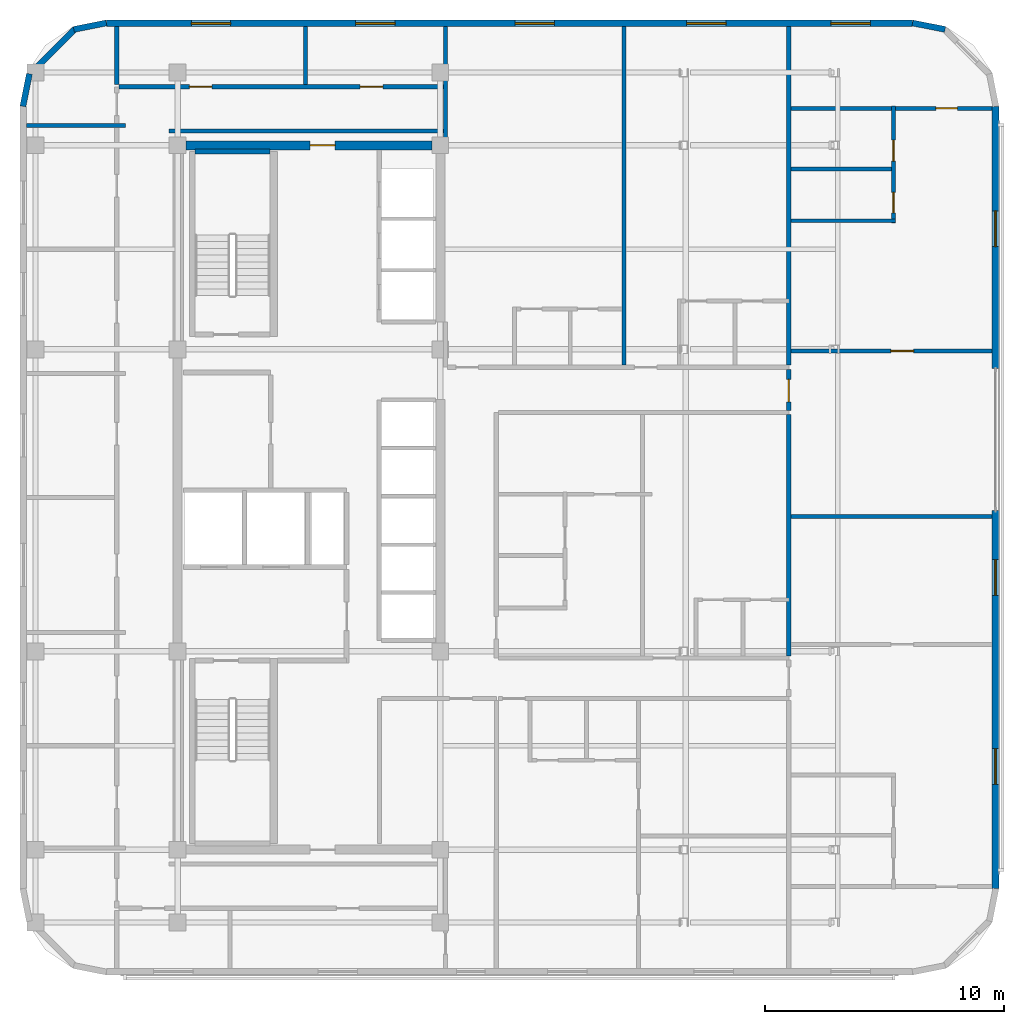
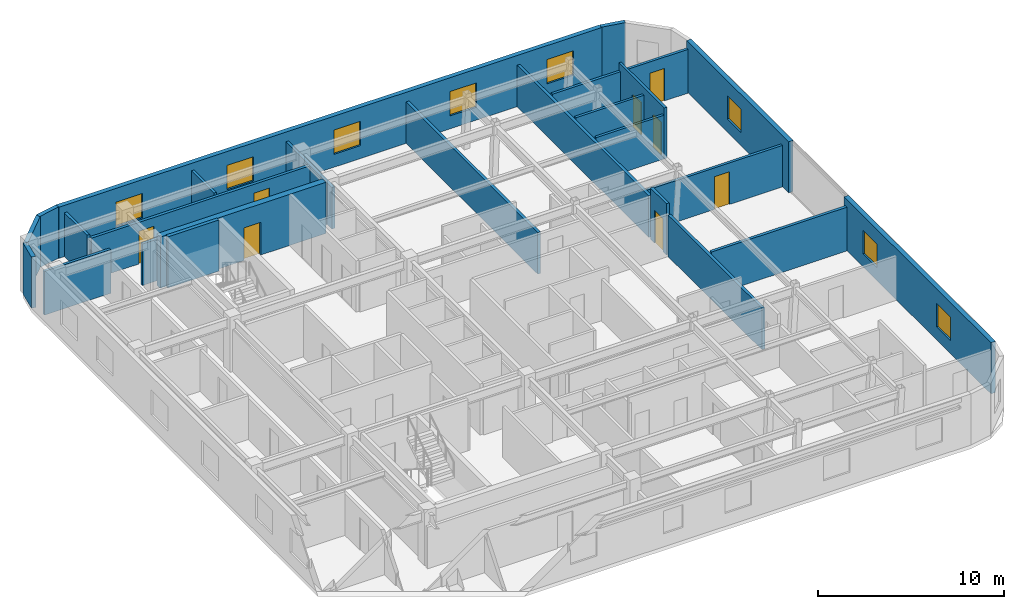
# One storey, part 7 of 11: 25 walls, 8 doors, 8 windows, 16 openings.
"""IFC4 building model written with IfcOpenShell, lengths in metres."""

from ifc_helpers import new_model, si_unit, direction, frame, frame_2d, origin, place, context, subcontext, project, spatial, rectangle, extrude, material, layer, layer_set, type_object, element, fill, save


model = new_model("IFC4")

# Units and contexts
model_context = context("Model", 3, precision=1e-05, world=origin(), true_north=direction((0.0, 1.0)))
body_context = subcontext(model_context, "Body", "Model", "MODEL_VIEW")
ifc_project = project(units=[si_unit("LENGTHUNIT", "METRE"), si_unit("AREAUNIT", "SQUARE_METRE"), si_unit("VOLUMEUNIT", "CUBIC_METRE"), si_unit("PLANEANGLEUNIT", "RADIAN"), si_unit("MASSUNIT", "GRAM", prefix="KILO")], contexts=[model_context])

# Site, building, storey
site_placement = place(None, origin())
site = spatial("IfcSite", under=ifc_project, at=site_placement, CompositionType="ELEMENT")
building_placement = place(site_placement, origin())
building = spatial("IfcBuilding", under=site, at=building_placement, Name="Ochreholt Gables", CompositionType="ELEMENT")
storey_placement = place(building_placement, frame((0.0, 0.0, 155.39990234375)))
storey = spatial("IfcBuildingStorey", under=building, at=storey_placement, Name="L40", CompositionType="ELEMENT", Elevation=155.39990234375)

# Wall, opening, door
ifc_material_1 = material(Name="Concrete 50 MPa", Category="concrete")
ifc_layer_1 = layer(ifc_material_1, 0.3798828125, Name="Concrete 50 MPa")
ifc_layer_set_1 = layer_set([ifc_layer_1], Name="Concrete 50 MPa")
wall_type_1 = type_object("IfcWallType", Name="WALL-CSW-380", PredefinedType="SHEAR", material=ifc_layer_set_1)
wall_1_placement = place(storey_placement, frame((24.550048828125, 38.75, 0.0), z_axis=(0.0, 0.0, 1.0), x_axis=(1.0, 0.0, 0.0)))
wall_1 = element("IfcWall", 1, at=wall_1_placement, inside=storey, type_object=wall_type_1, Name="L40 Core North Shear Wall", PredefinedType="SHEAR", context=body_context, shape_type="SweptSolid", body=[
    extrude(rectangle(XDim=10.300048828125, YDim=0.3798828125, at=frame_2d((5.14990234375, 0.0))), origin(), (0.0, 0.0, 1.0), 3.360107421875),
])
opening_1_placement = place(wall_1_placement, frame((5.199951171875, 0.0, 0.0)))
opening_1 = element("IfcOpeningElement", 2, at=opening_1_placement, cuts=wall_1, Name="Opening D-FLB", PredefinedType="OPENING", context=body_context, shape_type="SweptSolid", body=[
    extrude(rectangle(XDim=1.050048828125, YDim=2.14990234375, at=frame_2d((0.52490234375, 1.074951171875))), frame((0.0, 0.199951171875, 0.0), z_axis=(0.0, -1.0, 0.0), x_axis=(1.0, 0.0, 0.0)), (0.0, 0.0, 1.0), 0.39990234375),
])
ifc_material_2 = material(Name="Hollow Metal Steel", Category="steel")
door_type_1 = type_object("IfcDoorType", Name="DR-INT-FLB1050", OperationType="NOTDEFINED", PredefinedType="DOOR", material=ifc_material_2)
door_1_placement = place(opening_1_placement, frame((1.050048828125, 0.0, 0.0), z_axis=(0.0, 0.0, 1.0), x_axis=(-1.0, 0.0, 0.0)))
door_1 = element("IfcDoor", 3, at=door_1_placement, inside=storey, type_object=door_type_1, Name="L40 Door D-C2CRN-L40", OperationType="SINGLE_SWING_RIGHT", OverallHeight=2.14990234375, OverallWidth=1.050048828125, PredefinedType="DOOR", context=body_context, shape_type="SweptSolid", body=[
    extrude(rectangle(XDim=1.050048828125, YDim=2.14990234375, at=frame_2d((0.52490234375, 1.074951171875))), frame((0.0, 0.02490234375, 0.0), z_axis=(0.0, -1.0, 0.0), x_axis=(1.0, 0.0, 0.0)), (0.0, 0.0, 1.0), 0.050048828125),
])
fill(opening_1, door_1)

# Wall, openings, windows
ifc_material_3 = material(Name="Precast concrete 40 MPa", Category="concrete")
ifc_layer_2 = layer(ifc_material_3, 0.280029296875, Name="Precast concrete 40 MPa")
ifc_layer_set_2 = layer_set([ifc_layer_2], Name="Precast concrete 40 MPa")
wall_type_2 = type_object("IfcWallType", Name="WALL-EXT-280", PredefinedType="SOLIDWALL", material=ifc_layer_set_2)
wall_2_placement = place(storey_placement, frame((58.4599609375, 7.6201171875, 0.0), z_axis=(0.0, 0.0, 1.0), x_axis=(0.0, 1.0, 0.0)))
wall_2 = element("IfcWall", 4, at=wall_2_placement, inside=storey, type_object=wall_type_2, Name="L40 East Facade Wall 1", PredefinedType="SOLIDWALL", context=body_context, shape_type="SweptSolid", body=[
    extrude(rectangle(XDim=15.829833984375, YDim=0.280029296875, at=frame_2d((7.9150390625, 0.0))), origin(), (0.0, 0.0, 1.0), 3.360107421875),
])
opening_2_placement = place(wall_2_placement, frame((4.365234375, 0.0, 0.85009765625)))
opening_2 = element("IfcOpeningElement", 5, at=opening_2_placement, cuts=wall_2, Name="Opening WN-2", PredefinedType="OPENING", context=body_context, shape_type="SweptSolid", body=[
    extrude(rectangle(XDim=1.5, YDim=1.550048828125, at=frame_2d((0.75, 0.77490234375))), frame((0.0, 0.14990234375, 0.0), z_axis=(0.0, -1.0, 0.0), x_axis=(1.0, 0.0, 0.0)), (0.0, 0.0, 1.0), 0.300048828125),
])
opening_3_placement = place(wall_2_placement, frame((12.2802734375, 0.0, 0.85009765625)))
opening_3 = element("IfcOpeningElement", 6, at=opening_3_placement, cuts=wall_2, Name="Opening WN-2", PredefinedType="OPENING", context=body_context, shape_type="SweptSolid", body=[
    extrude(rectangle(XDim=1.5, YDim=1.550048828125, at=frame_2d((0.75, 0.77490234375))), frame((0.0, 0.14990234375, 0.0), z_axis=(0.0, -1.0, 0.0), x_axis=(1.0, 0.0, 0.0)), (0.0, 0.0, 1.0), 0.300048828125),
])
ifc_material_4 = material(Name="Triple-Glazed Thermally Broken Aluminium Window", Category="aluminium")
window_type_1 = type_object("IfcWindowType", Name="WIN-RES-1500", PartitioningType="SINGLE_PANEL", PredefinedType="WINDOW", material=ifc_material_4)
window_1_placement = place(opening_2_placement, origin())
window_1 = element("IfcWindow", 7, at=window_1_placement, inside=storey, type_object=window_type_1, Name="L40 Window W-EXT-E1-L40-1", OverallHeight=1.550048828125, OverallWidth=1.5, PartitioningType="SINGLE_PANEL", PredefinedType="WINDOW", context=body_context, shape_type="SweptSolid", body=[
    extrude(rectangle(XDim=1.5, YDim=1.550048828125, at=frame_2d((0.75, 0.77490234375))), frame((0.0, 0.030029296875, 0.0), z_axis=(0.0, -1.0, 0.0), x_axis=(1.0, 0.0, 0.0)), (0.0, 0.0, 1.0), 0.06005859375),
])
fill(opening_2, window_1)
window_2_placement = place(opening_3_placement, origin())
window_2 = element("IfcWindow", 8, at=window_2_placement, inside=storey, type_object=window_type_1, Name="L40 Window W-EXT-E1-L40-2", OverallHeight=1.550048828125, OverallWidth=1.5, PartitioningType="SINGLE_PANEL", PredefinedType="WINDOW", context=body_context, shape_type="SweptSolid", body=[
    extrude(rectangle(XDim=1.5, YDim=1.550048828125, at=frame_2d((0.75, 0.77490234375))), frame((0.0, 0.030029296875, 0.0), z_axis=(0.0, -1.0, 0.0), x_axis=(1.0, 0.0, 0.0)), (0.0, 0.0, 1.0), 0.06005859375),
])
fill(opening_3, window_2)

# Wall, opening, window
wall_3_placement = place(storey_placement, frame((58.4599609375, 29.39990234375, 0.0), z_axis=(0.0, 0.0, 1.0), x_axis=(0.0, 1.0, 0.0)))
wall_3 = element("IfcWall", 9, at=wall_3_placement, inside=storey, type_object=wall_type_2, Name="L40 East Facade Wall 2", PredefinedType="SOLIDWALL", context=body_context, shape_type="SweptSolid", body=[
    extrude(rectangle(XDim=10.97998046875, YDim=0.280029296875, at=frame_2d((5.489990234375, 0.0))), origin(), (0.0, 0.0, 1.0), 3.360107421875),
])
opening_4_placement = place(wall_3_placement, frame((5.107666015625, 0.0, 0.85009765625)))
opening_4 = element("IfcOpeningElement", 10, at=opening_4_placement, cuts=wall_3, Name="Opening WN-2", PredefinedType="OPENING", context=body_context, shape_type="SweptSolid", body=[
    extrude(rectangle(XDim=1.5, YDim=1.550048828125, at=frame_2d((0.75, 0.77490234375))), frame((0.0, 0.14990234375, 0.0), z_axis=(0.0, -1.0, 0.0), x_axis=(1.0, 0.0, 0.0)), (0.0, 0.0, 1.0), 0.300048828125),
])
window_3_placement = place(opening_4_placement, origin())
window_3 = element("IfcWindow", 11, at=window_3_placement, inside=storey, type_object=window_type_1, Name="L40 Window W-EXT-E2-L40-1", OverallHeight=1.550048828125, OverallWidth=1.5, PartitioningType="SINGLE_PANEL", PredefinedType="WINDOW", context=body_context, shape_type="SweptSolid", body=[
    extrude(rectangle(XDim=1.5, YDim=1.550048828125, at=frame_2d((0.75, 0.77490234375))), frame((0.0, 0.030029296875, 0.0), z_axis=(0.0, -1.0, 0.0), x_axis=(1.0, 0.0, 0.0)), (0.0, 0.0, 1.0), 0.06005859375),
])
fill(opening_4, window_3)

# Wall, openings, windows
wall_4_placement = place(storey_placement, frame((54.97998046875, 43.860107421875, 0.0), z_axis=(0.0, 0.0, 1.0), x_axis=(-1.0, 0.0, 0.0)))
wall_4 = element("IfcWall", 12, at=wall_4_placement, inside=storey, type_object=wall_type_2, Name="L40 North Exterior Wall", PredefinedType="SOLIDWALL", context=body_context, shape_type="SweptSolid", body=[
    extrude(rectangle(XDim=33.760009765625, YDim=0.280029296875, at=frame_2d((16.8798828125, 0.0))), origin(), (0.0, 0.0, 1.0), 3.360107421875),
])
opening_5_placement = place(wall_4_placement, frame((28.554931640625, 0.0, 0.85009765625)))
opening_5 = element("IfcOpeningElement", 13, at=opening_5_placement, cuts=wall_4, Name="Opening WN-7", PredefinedType="OPENING", context=body_context, shape_type="SweptSolid", body=[
    extrude(rectangle(XDim=1.64990234375, YDim=1.60009765625, at=frame_2d((0.824951171875, 0.800048828125))), frame((0.0, 0.14990234375, 0.0), z_axis=(0.0, -1.0, 0.0), x_axis=(1.0, 0.0, 0.0)), (0.0, 0.0, 1.0), 0.300048828125),
])
opening_6_placement = place(wall_4_placement, frame((21.669921875, 0.0, 0.85009765625)))
opening_6 = element("IfcOpeningElement", 14, at=opening_6_placement, cuts=wall_4, Name="Opening WN-7", PredefinedType="OPENING", context=body_context, shape_type="SweptSolid", body=[
    extrude(rectangle(XDim=1.64990234375, YDim=1.60009765625, at=frame_2d((0.824951171875, 0.800048828125))), frame((0.0, 0.14990234375, 0.0), z_axis=(0.0, -1.0, 0.0), x_axis=(1.0, 0.0, 0.0)), (0.0, 0.0, 1.0), 0.300048828125),
])
opening_7_placement = place(wall_4_placement, frame((14.99609375, 0.0, 0.85009765625)))
opening_7 = element("IfcOpeningElement", 15, at=opening_7_placement, cuts=wall_4, Name="Opening WN-7", PredefinedType="OPENING", context=body_context, shape_type="SweptSolid", body=[
    extrude(rectangle(XDim=1.64990234375, YDim=1.60009765625, at=frame_2d((0.824951171875, 0.800048828125))), frame((0.0, 0.14990234375, 0.0), z_axis=(0.0, -1.0, 0.0), x_axis=(1.0, 0.0, 0.0)), (0.0, 0.0, 1.0), 0.300048828125),
])
opening_8_placement = place(wall_4_placement, frame((7.80615234375, 0.0, 0.85009765625)))
opening_8 = element("IfcOpeningElement", 16, at=opening_8_placement, cuts=wall_4, Name="Opening WN-7", PredefinedType="OPENING", context=body_context, shape_type="SweptSolid", body=[
    extrude(rectangle(XDim=1.64990234375, YDim=1.60009765625, at=frame_2d((0.824951171875, 0.800048828125))), frame((0.0, 0.14990234375, 0.0), z_axis=(0.0, -1.0, 0.0), x_axis=(1.0, 0.0, 0.0)), (0.0, 0.0, 1.0), 0.300048828125),
])
opening_9_placement = place(wall_4_placement, frame((1.764892578125, 0.0, 0.85009765625)))
opening_9 = element("IfcOpeningElement", 17, at=opening_9_placement, cuts=wall_4, Name="Opening WN-7", PredefinedType="OPENING", context=body_context, shape_type="SweptSolid", body=[
    extrude(rectangle(XDim=1.64990234375, YDim=1.60009765625, at=frame_2d((0.824951171875, 0.800048828125))), frame((0.0, 0.14990234375, 0.0), z_axis=(0.0, -1.0, 0.0), x_axis=(1.0, 0.0, 0.0)), (0.0, 0.0, 1.0), 0.300048828125),
])
window_type_2 = type_object("IfcWindowType", Name="WIN-RES-1650", PartitioningType="SINGLE_PANEL", PredefinedType="WINDOW", material=ifc_material_4)
window_4_placement = place(opening_5_placement, origin())
window_4 = element("IfcWindow", 18, at=window_4_placement, inside=storey, type_object=window_type_2, Name="L40 Window W-EXT-N-L40-1", OverallHeight=1.60009765625, OverallWidth=1.64990234375, PartitioningType="SINGLE_PANEL", PredefinedType="WINDOW", context=body_context, shape_type="SweptSolid", body=[
    extrude(rectangle(XDim=1.64990234375, YDim=1.60009765625, at=frame_2d((0.824951171875, 0.800048828125))), frame((0.0, 0.030029296875, 0.0), z_axis=(0.0, -1.0, 0.0), x_axis=(1.0, 0.0, 0.0)), (0.0, 0.0, 1.0), 0.06005859375),
])
fill(opening_5, window_4)
window_5_placement = place(opening_6_placement, origin())
window_5 = element("IfcWindow", 19, at=window_5_placement, inside=storey, type_object=window_type_2, Name="L40 Window W-EXT-N-L40-2", OverallHeight=1.60009765625, OverallWidth=1.64990234375, PartitioningType="SINGLE_PANEL", PredefinedType="WINDOW", context=body_context, shape_type="SweptSolid", body=[
    extrude(rectangle(XDim=1.64990234375, YDim=1.60009765625, at=frame_2d((0.824951171875, 0.800048828125))), frame((0.0, 0.030029296875, 0.0), z_axis=(0.0, -1.0, 0.0), x_axis=(1.0, 0.0, 0.0)), (0.0, 0.0, 1.0), 0.06005859375),
])
fill(opening_6, window_5)
window_6_placement = place(opening_7_placement, origin())
window_6 = element("IfcWindow", 20, at=window_6_placement, inside=storey, type_object=window_type_2, Name="L40 Window W-EXT-N-L40-3", OverallHeight=1.60009765625, OverallWidth=1.64990234375, PartitioningType="SINGLE_PANEL", PredefinedType="WINDOW", context=body_context, shape_type="SweptSolid", body=[
    extrude(rectangle(XDim=1.64990234375, YDim=1.60009765625, at=frame_2d((0.824951171875, 0.800048828125))), frame((0.0, 0.030029296875, 0.0), z_axis=(0.0, -1.0, 0.0), x_axis=(1.0, 0.0, 0.0)), (0.0, 0.0, 1.0), 0.06005859375),
])
fill(opening_7, window_6)
window_7_placement = place(opening_8_placement, origin())
window_7 = element("IfcWindow", 21, at=window_7_placement, inside=storey, type_object=window_type_2, Name="L40 Window W-EXT-N-L40-4", OverallHeight=1.60009765625, OverallWidth=1.64990234375, PartitioningType="SINGLE_PANEL", PredefinedType="WINDOW", context=body_context, shape_type="SweptSolid", body=[
    extrude(rectangle(XDim=1.64990234375, YDim=1.60009765625, at=frame_2d((0.824951171875, 0.800048828125))), frame((0.0, 0.030029296875, 0.0), z_axis=(0.0, -1.0, 0.0), x_axis=(1.0, 0.0, 0.0)), (0.0, 0.0, 1.0), 0.06005859375),
])
fill(opening_8, window_7)
window_8_placement = place(opening_9_placement, origin())
window_8 = element("IfcWindow", 22, at=window_8_placement, inside=storey, type_object=window_type_2, Name="L40 Window W-EXT-N-L40-5", OverallHeight=1.60009765625, OverallWidth=1.64990234375, PartitioningType="SINGLE_PANEL", PredefinedType="WINDOW", context=body_context, shape_type="SweptSolid", body=[
    extrude(rectangle(XDim=1.64990234375, YDim=1.60009765625, at=frame_2d((0.824951171875, 0.800048828125))), frame((0.0, 0.030029296875, 0.0), z_axis=(0.0, -1.0, 0.0), x_axis=(1.0, 0.0, 0.0)), (0.0, 0.0, 1.0), 0.06005859375),
])
fill(opening_9, window_8)

# Walls
ifc_layer_3 = layer(ifc_material_3, 0.25, Name="Precast concrete 40 MPa")
ifc_layer_set_3 = layer_set([ifc_layer_3], Name="Precast concrete 40 MPa")
wall_type_3 = type_object("IfcWallType", Name="WALL-EXT-CNR", PredefinedType="SOLIDWALL", material=ifc_layer_set_3)
for number, where, z_axis, x_axis, name in (
    (23, (56.345458984375, 43.60498046875, 0.0), (0.0, 0.0, 1.0), (-0.980809899341, 0.19496651342, 0.0), "L40 Rounded Corner Wall NE-3"),
    (24, (21.216552734375, 43.875732421875, 0.0), (0.0, 0.0, 1.0), (-0.980809899341, -0.19496651342, 0.0), "L40 Rounded Corner Wall NW-1"),
):
    element("IfcWall", number, at=place(storey_placement, frame(where, z_axis=z_axis, x_axis=x_axis)), inside=storey, type_object=wall_type_3, Name=name, PredefinedType="SOLIDWALL", context=body_context, shape_type="SweptSolid", body=[
        extrude(rectangle(XDim=1.388671875, YDim=0.25, at=frame_2d((0.6943359375, 0.0))), origin(), (0.0, 0.0, 1.0), 3.360107421875),
    ])
wall_5_placement = place(storey_placement, frame((19.905029296875, 43.632080078125, 0.0), z_axis=(0.0, 0.0, 1.0), x_axis=(-0.707106781187, -0.707106781187, 0.0)))
element("IfcWall", 25, at=wall_5_placement, inside=storey, type_object=wall_type_3, Name="L40 Rounded Corner Wall NW-2", PredefinedType="SOLIDWALL", context=body_context, shape_type="SweptSolid", body=[
    extrude(rectangle(XDim=2.7392578125, YDim=0.25, at=frame_2d((1.36962890625, 0.0))), origin(), (0.0, 0.0, 1.0), 3.360107421875),
])
wall_6_placement = place(storey_placement, frame((17.9951171875, 41.74560546875, 0.0), z_axis=(0.0, 0.0, 1.0), x_axis=(-0.195135625965, -0.9807762678, 0.0)))
element("IfcWall", 26, at=wall_6_placement, inside=storey, type_object=wall_type_3, Name="L40 Rounded Corner Wall NW-3", PredefinedType="SOLIDWALL", context=body_context, shape_type="SweptSolid", body=[
    extrude(rectangle(XDim=1.388671875, YDim=0.25, at=frame_2d((0.6943359375, 0.0))), origin(), (0.0, 0.0, 1.0), 3.360107421875),
])

# Wall, openings, doors
ifc_material_5 = material(Name="Fire-Rated Gypsum Acoustic Partition", Category="gypsum")
ifc_layer_4 = layer(ifc_material_5, 0.179931640625, Name="Fire-Rated Gypsum Acoustic Partition")
ifc_layer_set_4 = layer_set([ifc_layer_4], Name="Fire-Rated Gypsum Acoustic Partition")
wall_type_4 = type_object("IfcWallType", Name="WALL-INT-CR180", PredefinedType="STANDARD", material=ifc_layer_set_4)
wall_7_placement = place(storey_placement, frame((21.739990234375, 41.199951171875, 0.0), z_axis=(0.0, 0.0, 1.0), x_axis=(1.0, 0.0, 0.0)))
wall_7 = element("IfcWall", 27, at=wall_7_placement, inside=storey, type_object=wall_type_4, Name="L40 Interior Wall WI-C2WCN-L40", PredefinedType="STANDARD", context=body_context, shape_type="SweptSolid", body=[
    extrude(rectangle(XDim=13.679931640625, YDim=0.179931640625, at=frame_2d((6.83984375, 0.0))), origin(), (0.0, 0.0, 1.0), 2.72998046875),
])
opening_10_placement = place(wall_7_placement, frame((2.949951171875, 0.0, 0.0)))
opening_10 = element("IfcOpeningElement", 28, at=opening_10_placement, cuts=wall_7, Name="Opening D-GN1", PredefinedType="OPENING", context=body_context, shape_type="SweptSolid", body=[
    extrude(rectangle(XDim=0.949951171875, YDim=2.14990234375, at=frame_2d((0.47509765625, 1.074951171875))), frame((0.0, 0.099853515625, 0.0), z_axis=(0.0, -1.0, 0.0), x_axis=(1.0, 0.0, 0.0)), (0.0, 0.0, 1.0), 0.199951171875),
])
opening_11_placement = place(wall_7_placement, frame((10.110107421875, 0.0, 0.0)))
opening_11 = element("IfcOpeningElement", 29, at=opening_11_placement, cuts=wall_7, Name="Opening D-GN1", PredefinedType="OPENING", context=body_context, shape_type="SweptSolid", body=[
    extrude(rectangle(XDim=0.949951171875, YDim=2.14990234375, at=frame_2d((0.47509765625, 1.074951171875))), frame((0.0, 0.099853515625, 0.0), z_axis=(0.0, -1.0, 0.0), x_axis=(1.0, 0.0, 0.0)), (0.0, 0.0, 1.0), 0.199951171875),
])
ifc_material_6 = material(Name="Engineered Oak Timber", Category="wood")
door_type_2 = type_object("IfcDoorType", Name="DR-INT-GEN950", OperationType="NOTDEFINED", PredefinedType="DOOR", material=ifc_material_6)
door_2_placement = place(opening_10_placement, origin())
door_2 = element("IfcDoor", 30, at=door_2_placement, inside=storey, type_object=door_type_2, Name="L40 Door D-C2NRS1-L40", OperationType="SINGLE_SWING_RIGHT", OverallHeight=2.14990234375, OverallWidth=0.949951171875, PredefinedType="DOOR", context=body_context, shape_type="SweptSolid", body=[
    extrude(rectangle(XDim=0.949951171875, YDim=2.14990234375, at=frame_2d((0.47509765625, 1.074951171875))), frame((0.0, 0.02490234375, 0.0), z_axis=(0.0, -1.0, 0.0), x_axis=(1.0, 0.0, 0.0)), (0.0, 0.0, 1.0), 0.050048828125),
])
fill(opening_10, door_2)
door_3_placement = place(opening_11_placement, origin())
door_3 = element("IfcDoor", 31, at=door_3_placement, inside=storey, type_object=door_type_2, Name="L40 Door D-C2NRS2-L40", OperationType="SINGLE_SWING_LEFT", OverallHeight=2.14990234375, OverallWidth=0.949951171875, PredefinedType="DOOR", context=body_context, shape_type="SweptSolid", body=[
    extrude(rectangle(XDim=0.949951171875, YDim=2.14990234375, at=frame_2d((0.47509765625, 1.074951171875))), frame((0.0, 0.02490234375, 0.0), z_axis=(0.0, -1.0, 0.0), x_axis=(1.0, 0.0, 0.0)), (0.0, 0.0, 1.0), 0.050048828125),
])
fill(opening_11, door_3)

# Wall
wall_8_placement = place(storey_placement, frame((23.85009765625, 39.35009765625, 0.0), z_axis=(0.0, 0.0, 1.0), x_axis=(1.0, 0.0, 0.0)))
element("IfcWall", 32, at=wall_8_placement, inside=storey, type_object=wall_type_4, Name="L40 Interior Wall WI-C2WCN2-L40", PredefinedType="STANDARD", context=body_context, shape_type="SweptSolid", body=[
    extrude(rectangle(XDim=11.56982421875, YDim=0.179931640625, at=frame_2d((5.784912109375, 0.0))), origin(), (0.0, 0.0, 1.0), 2.72998046875),
])

# Wall, opening, door
wall_9_placement = place(storey_placement, frame((49.800048828125, 27.64990234375, 0.0), z_axis=(0.0, 0.0, 1.0), x_axis=(0.0, 1.0, 0.0)))
wall_9 = element("IfcWall", 33, at=wall_9_placement, inside=storey, type_object=wall_type_4, Name="L40 Interior Wall WI-C2SNE-L40", PredefinedType="STANDARD", context=body_context, shape_type="SweptSolid", body=[
    extrude(rectangle(XDim=1.72021484375, YDim=0.179931640625, at=frame_2d((0.860107421875, 0.0))), origin(), (0.0, 0.0, 1.0), 3.360107421875),
])
opening_12_placement = place(wall_9_placement, frame((0.360107421875, 0.0, 0.0)))
opening_12 = element("IfcOpeningElement", 34, at=opening_12_placement, cuts=wall_9, Name="Opening D-UN2", PredefinedType="OPENING", context=body_context, shape_type="SweptSolid", body=[
    extrude(rectangle(XDim=0.93994140625, YDim=2.14990234375, at=frame_2d((0.469970703125, 1.074951171875))), frame((0.0, 0.099853515625, 0.0), z_axis=(0.0, -1.0, 0.0), x_axis=(1.0, 0.0, 0.0)), (0.0, 0.0, 1.0), 0.199951171875),
])
door_type_3 = type_object("IfcDoorType", Name="DR-INT-UNT940", OperationType="NOTDEFINED", PredefinedType="DOOR", material=ifc_material_6)
door_4_placement = place(opening_12_placement, origin())
door_4 = element("IfcDoor", 35, at=door_4_placement, inside=storey, type_object=door_type_3, Name="L40 Door D-U-L40FEN-ENT", OperationType="SINGLE_SWING_RIGHT", OverallHeight=2.14990234375, OverallWidth=0.93994140625, PredefinedType="DOOR", context=body_context, shape_type="SweptSolid", body=[
    extrude(rectangle(XDim=0.93994140625, YDim=2.14990234375, at=frame_2d((0.469970703125, 1.074951171875))), frame((0.0, 0.02490234375, 0.0), z_axis=(0.0, -1.0, 0.0), x_axis=(1.0, 0.0, 0.0)), (0.0, 0.0, 1.0), 0.050048828125),
])
fill(opening_12, door_4)

# Walls
ifc_material_7 = material(Name="Double-Stud Acoustic Demising Wall", Category="gypsum")
ifc_layer_5 = layer(ifc_material_7, 0.179931640625, Name="Double-Stud Acoustic Demising Wall")
ifc_layer_set_5 = layer_set([ifc_layer_5], Name="Double-Stud Acoustic Demising Wall")
wall_type_5 = type_object("IfcWallType", Name="WALL-INT-DM180", PredefinedType="PARTITIONING", material=ifc_layer_set_5)
wall_10_placement = place(storey_placement, frame((21.64990234375, 41.2900390625, 0.0), z_axis=(0.0, 0.0, 1.0), x_axis=(0.0, 1.0, 0.0)))
element("IfcWall", 36, at=wall_10_placement, inside=storey, type_object=wall_type_5, Name="L40 Interior Wall WI-C2WWN-L40", PredefinedType="PARTITIONING", context=body_context, shape_type="SweptSolid", body=[
    extrude(rectangle(XDim=2.429931640625, YDim=0.179931640625, at=frame_2d((1.21484375, 0.0))), origin(), (0.0, 0.0, 1.0), 2.879150390625),
])
wall_11_placement = place(storey_placement, frame((35.419921875, 38.75, 0.0), z_axis=(0.0, 0.0, 1.0), x_axis=(0.0, 1.0, 0.0)))
element("IfcWall", 37, at=wall_11_placement, inside=storey, type_object=wall_type_5, Name="L40 Interior Wall WI-C2NEN-L40", PredefinedType="PARTITIONING", context=body_context, shape_type="SweptSolid", body=[
    extrude(rectangle(XDim=4.969970703125, YDim=0.179931640625, at=frame_2d((2.48486328125, 0.0))), origin(), (0.0, 0.0, 1.0), 2.72998046875),
])
wall_12_placement = place(storey_placement, frame((42.897705078125, 29.550048828125, 0.0), z_axis=(0.0, 0.0, 1.0), x_axis=(0.0, 1.0, 0.0)))
element("IfcWall", 38, at=wall_12_placement, inside=storey, type_object=wall_type_5, Name="L40 Interior Wall WI-C2UDN-L40", PredefinedType="PARTITIONING", context=body_context, shape_type="SweptSolid", body=[
    extrude(rectangle(XDim=14.169921875, YDim=0.179931640625, at=frame_2d((7.0849609375, 0.0))), origin(), (0.0, 0.0, 1.0), 2.72998046875),
])
wall_13_placement = place(storey_placement, frame((49.800048828125, 17.3701171875, 0.0), z_axis=(0.0, 0.0, 1.0), x_axis=(0.0, 1.0, 0.0)))
element("IfcWall", 39, at=wall_13_placement, inside=storey, type_object=wall_type_5, Name="L40 Interior Wall WI-C2FEW2-L40", PredefinedType="PARTITIONING", context=body_context, shape_type="SweptSolid", body=[
    extrude(rectangle(XDim=10.099853515625, YDim=0.179931640625, at=frame_2d((5.0498046875, 0.0))), origin(), (0.0, 0.0, 1.0), 2.72998046875),
])
wall_14_placement = place(storey_placement, frame((49.800048828125, 29.550048828125, 0.0), z_axis=(0.0, 0.0, 1.0), x_axis=(0.0, 1.0, 0.0)))
element("IfcWall", 40, at=wall_14_placement, inside=storey, type_object=wall_type_5, Name="L40 Interior Wall WI-C2FEW3-L40", PredefinedType="PARTITIONING", context=body_context, shape_type="SweptSolid", body=[
    extrude(rectangle(XDim=14.169921875, YDim=0.179931640625, at=frame_2d((7.0849609375, 0.0))), origin(), (0.0, 0.0, 1.0), 2.72998046875),
])
wall_15_placement = place(storey_placement, frame((49.889892578125, 23.199951171875, 0.0), z_axis=(0.0, 0.0, 1.0), x_axis=(1.0, 0.0, 0.0)))
element("IfcWall", 41, at=wall_15_placement, inside=storey, type_object=wall_type_5, Name="L40 Interior Wall WI-C2FED-L40", PredefinedType="PARTITIONING", context=body_context, shape_type="SweptSolid", body=[
    extrude(rectangle(XDim=8.43017578125, YDim=0.179931640625, at=frame_2d((4.215087890625, 0.0))), origin(), (0.0, 0.0, 1.0), 2.879150390625),
])
ifc_material_8 = material(Name="Moisture-Resistant Plumbing Chase Wall", Category="gypsum")
ifc_layer_6 = layer(ifc_material_8, 0.159912109375, Name="Moisture-Resistant Plumbing Chase Wall")
ifc_layer_set_6 = layer_set([ifc_layer_6], Name="Moisture-Resistant Plumbing Chase Wall")
wall_type_6 = type_object("IfcWallType", Name="WALL-INT-PL160", PredefinedType="PLUMBINGWALL", material=ifc_layer_set_6)
wall_16_placement = place(storey_placement, frame((49.889892578125, 35.593017578125, 0.0), z_axis=(0.0, 0.0, 1.0), x_axis=(1.0, 0.0, 0.0)))
element("IfcWall", 42, at=wall_16_placement, inside=storey, type_object=wall_type_6, Name="L40 Interior Wall WU-L40FEN-FYS", PredefinedType="PLUMBINGWALL", context=body_context, shape_type="SweptSolid", body=[
    extrude(rectangle(XDim=4.380126953125, YDim=0.159912109375, at=frame_2d((2.18994140625, 0.0))), origin(), (0.0, 0.0, 1.0), 2.879150390625),
])

# Wall, openings, doors
wall_17_placement = place(storey_placement, frame((54.18994140625, 35.5029296875, 0.0), z_axis=(0.0, 0.0, 1.0), x_axis=(0.0, 1.0, 0.0)))
wall_17 = element("IfcWall", 43, at=wall_17_placement, inside=storey, type_object=wall_type_6, Name="L40 Interior Wall WU-L40FEN-WX", PredefinedType="PLUMBINGWALL", context=body_context, shape_type="SweptSolid", body=[
    extrude(rectangle(XDim=4.886962890625, YDim=0.159912109375, at=frame_2d((2.443359375, 0.0))), origin(), (0.0, 0.0, 1.0), 3.360107421875),
])
opening_13_placement = place(wall_17_placement, frame((0.419921875, 0.0, 0.0)))
opening_13 = element("IfcOpeningElement", 44, at=opening_13_placement, cuts=wall_17, Name="Opening D-BT1", PredefinedType="OPENING", context=body_context, shape_type="SweptSolid", body=[
    extrude(rectangle(XDim=0.860107421875, YDim=2.1201171875, at=frame_2d((0.43017578125, 1.06005859375))), frame((0.0, 0.08984375, 0.0), z_axis=(0.0, -1.0, 0.0), x_axis=(1.0, 0.0, 0.0)), (0.0, 0.0, 1.0), 0.179931640625),
])
opening_14_placement = place(wall_17_placement, frame((2.585205078125, 0.0, 0.0)))
opening_14 = element("IfcOpeningElement", 45, at=opening_14_placement, cuts=wall_17, Name="Opening D-GN2", PredefinedType="OPENING", context=body_context, shape_type="SweptSolid", body=[
    extrude(rectangle(XDim=0.8798828125, YDim=2.1201171875, at=frame_2d((0.43994140625, 1.06005859375))), frame((0.0, 0.08984375, 0.0), z_axis=(0.0, -1.0, 0.0), x_axis=(1.0, 0.0, 0.0)), (0.0, 0.0, 1.0), 0.179931640625),
])
door_type_4 = type_object("IfcDoorType", Name="DR-INT-BTH860", OperationType="NOTDEFINED", PredefinedType="DOOR", material=ifc_material_6)
door_5_placement = place(opening_13_placement, origin())
door_5 = element("IfcDoor", 46, at=door_5_placement, inside=storey, type_object=door_type_4, Name="L40 Door D-U-L40FEN-BTH", OperationType="SINGLE_SWING_LEFT", OverallHeight=2.1201171875, OverallWidth=0.860107421875, PredefinedType="DOOR", context=body_context, shape_type="SweptSolid", body=[
    extrude(rectangle(XDim=0.860107421875, YDim=2.1201171875, at=frame_2d((0.43017578125, 1.06005859375))), frame((0.0, 0.02490234375, 0.0), z_axis=(0.0, -1.0, 0.0), x_axis=(1.0, 0.0, 0.0)), (0.0, 0.0, 1.0), 0.050048828125),
])
fill(opening_13, door_5)
door_type_5 = type_object("IfcDoorType", Name="DR-INT-GEN880", OperationType="NOTDEFINED", PredefinedType="DOOR", material=ifc_material_6)
door_6_placement = place(opening_14_placement, origin())
door_6 = element("IfcDoor", 47, at=door_6_placement, inside=storey, type_object=door_type_5, Name="L40 Door D-U-L40FEN-KIT", OperationType="SINGLE_SWING_RIGHT", OverallHeight=2.1201171875, OverallWidth=0.8798828125, PredefinedType="DOOR", context=body_context, shape_type="SweptSolid", body=[
    extrude(rectangle(XDim=0.8798828125, YDim=2.1201171875, at=frame_2d((0.43994140625, 1.06005859375))), frame((0.0, 0.02490234375, 0.0), z_axis=(0.0, -1.0, 0.0), x_axis=(1.0, 0.0, 0.0)), (0.0, 0.0, 1.0), 0.050048828125),
])
fill(opening_14, door_6)

# Wall
wall_18_placement = place(storey_placement, frame((49.889892578125, 37.75830078125, 0.0), z_axis=(0.0, 0.0, 1.0), x_axis=(1.0, 0.0, 0.0)))
element("IfcWall", 48, at=wall_18_placement, inside=storey, type_object=wall_type_6, Name="L40 Interior Wall WU-L40FEN-WK", PredefinedType="PLUMBINGWALL", context=body_context, shape_type="SweptSolid", body=[
    extrude(rectangle(XDim=4.22021484375, YDim=0.159912109375, at=frame_2d((2.110107421875, 0.0))), origin(), (0.0, 0.0, 1.0), 2.879150390625),
])

# Wall, opening, door
ifc_material_9 = material(Name="Gypsum Acoustic Stud Partition", Category="gypsum")
ifc_layer_7 = layer(ifc_material_9, 0.1650390625, Name="Gypsum Acoustic Stud Partition")
ifc_layer_set_7 = layer_set([ifc_layer_7], Name="Gypsum Acoustic Stud Partition")
wall_type_7 = type_object("IfcWallType", Name="WALL-INT-PT165", PredefinedType="PARTITIONING", material=ifc_layer_set_7)
wall_19_placement = place(storey_placement, frame((49.889892578125, 40.300048828125, 0.0), z_axis=(0.0, 0.0, 1.0), x_axis=(1.0, 0.0, 0.0)))
wall_19 = element("IfcWall", 49, at=wall_19_placement, inside=storey, type_object=wall_type_7, Name="L40 Interior Wall WU-L40FEN-MN", PredefinedType="PARTITIONING", context=body_context, shape_type="SweptSolid", body=[
    extrude(rectangle(XDim=8.43017578125, YDim=0.1650390625, at=frame_2d((4.215087890625, 0.0))), origin(), (0.0, 0.0, 1.0), 2.879150390625),
])
opening_15_placement = place(wall_19_placement, frame((6.070068359375, 0.0, 0.0)))
opening_15 = element("IfcOpeningElement", 50, at=opening_15_placement, cuts=wall_19, Name="Opening D-BD1", PredefinedType="OPENING", context=body_context, shape_type="SweptSolid", body=[
    extrude(rectangle(XDim=0.89990234375, YDim=2.139892578125, at=frame_2d((0.449951171875, 1.06982421875))), frame((0.0, 0.092529296875, 0.0), z_axis=(0.0, -1.0, 0.0), x_axis=(1.0, 0.0, 0.0)), (0.0, 0.0, 1.0), 0.18505859375),
])
door_type_6 = type_object("IfcDoorType", Name="DR-INT-BED900", OperationType="NOTDEFINED", PredefinedType="DOOR", material=ifc_material_6)
door_7_placement = place(opening_15_placement, origin())
door_7 = element("IfcDoor", 51, at=door_7_placement, inside=storey, type_object=door_type_6, Name="L40 Door D-U-L40FEN-BD1", OperationType="SINGLE_SWING_LEFT", OverallHeight=2.139892578125, OverallWidth=0.89990234375, PredefinedType="DOOR", context=body_context, shape_type="SweptSolid", body=[
    extrude(rectangle(XDim=0.89990234375, YDim=2.139892578125, at=frame_2d((0.449951171875, 1.06982421875))), frame((0.0, 0.02490234375, 0.0), z_axis=(0.0, -1.0, 0.0), x_axis=(1.0, 0.0, 0.0)), (0.0, 0.0, 1.0), 0.050048828125),
])
fill(opening_15, door_7)

wall_20_placement = place(storey_placement, frame((49.889892578125, 30.13525390625, 0.0), z_axis=(0.0, 0.0, 1.0), x_axis=(1.0, 0.0, 0.0)))
wall_20 = element("IfcWall", 52, at=wall_20_placement, inside=storey, type_object=wall_type_7, Name="L40 Interior Wall WU-L40FEN-DNW", PredefinedType="PARTITIONING", context=body_context, shape_type="SweptSolid", body=[
    extrude(rectangle(XDim=8.43017578125, YDim=0.1650390625, at=frame_2d((4.215087890625, 0.0))), origin(), (0.0, 0.0, 1.0), 2.72998046875),
])
opening_16_placement = place(wall_20_placement, frame((4.18994140625, 0.0, 0.0)))
opening_16 = element("IfcOpeningElement", 53, at=opening_16_placement, cuts=wall_20, Name="Opening D-GN1", PredefinedType="OPENING", context=body_context, shape_type="SweptSolid", body=[
    extrude(rectangle(XDim=0.949951171875, YDim=2.14990234375, at=frame_2d((0.47509765625, 1.074951171875))), frame((0.0, 0.092529296875, 0.0), z_axis=(0.0, -1.0, 0.0), x_axis=(1.0, 0.0, 0.0)), (0.0, 0.0, 1.0), 0.18505859375),
])
door_8_placement = place(opening_16_placement, origin())
door_8 = element("IfcDoor", 54, at=door_8_placement, inside=storey, type_object=door_type_2, Name="L40 Door D-U-L40FEN-DIN", OperationType="SINGLE_SWING_LEFT", OverallHeight=2.14990234375, OverallWidth=0.949951171875, PredefinedType="DOOR", context=body_context, shape_type="SweptSolid", body=[
    extrude(rectangle(XDim=0.949951171875, YDim=2.14990234375, at=frame_2d((0.47509765625, 1.074951171875))), frame((0.0, 0.02490234375, 0.0), z_axis=(0.0, -1.0, 0.0), x_axis=(1.0, 0.0, 0.0)), (0.0, 0.0, 1.0), 0.050048828125),
])
fill(opening_16, door_8)

# Walls
wall_21_placement = place(storey_placement, frame((17.8798828125, 39.574951171875, 0.0), z_axis=(0.0, 0.0, 1.0), x_axis=(1.0, 0.0, 0.0)))
element("IfcWall", 55, at=wall_21_placement, inside=storey, type_object=wall_type_7, Name="L40 Interior Wall WU-L40W4-SDV", PredefinedType="PARTITIONING", context=body_context, shape_type="SweptSolid", body=[
    extrude(rectangle(XDim=4.130126953125, YDim=0.1650390625, at=frame_2d((2.06494140625, 0.0))), origin(), (0.0, 0.0, 1.0), 2.879150390625),
])
wall_22_placement = place(storey_placement, frame((29.550048828125, 41.2900390625, 0.0), z_axis=(0.0, 0.0, 1.0), x_axis=(0.0, 1.0, 0.0)))
element("IfcWall", 56, at=wall_22_placement, inside=storey, type_object=wall_type_7, Name="L40 Interior Wall WI-C2PKN-L40", PredefinedType="PARTITIONING", context=body_context, shape_type="SweptSolid", body=[
    extrude(rectangle(XDim=2.429931640625, YDim=0.1650390625, at=frame_2d((1.21484375, 0.0))), origin(), (0.0, 0.0, 1.0), 2.879150390625),
])
ifc_layer_8 = layer(ifc_material_1, 0.219970703125, Name="Concrete 50 MPa")
ifc_layer_set_8 = layer_set([ifc_layer_8], Name="Concrete 50 MPa")
wall_type_8 = type_object("IfcWallType", Name="WALL-STW-220", PredefinedType="SHEAR", material=ifc_layer_set_8)
wall_23_placement = place(storey_placement, frame((24.919921875, 38.489990234375, 0.0), z_axis=(0.0, 0.0, 1.0), x_axis=(1.0, 0.0, 0.0)))
element("IfcWall", 57, at=wall_23_placement, inside=storey, type_object=wall_type_8, Name="L40 Exit Stair 2 North Wall", PredefinedType="SHEAR", context=body_context, shape_type="SweptSolid", body=[
    extrude(rectangle(XDim=3.16015625, YDim=0.219970703125, at=frame_2d((1.580078125, 0.0))), origin(), (0.0, 0.0, 1.0), 3.360107421875),
])

save(model, "model.ifc")
